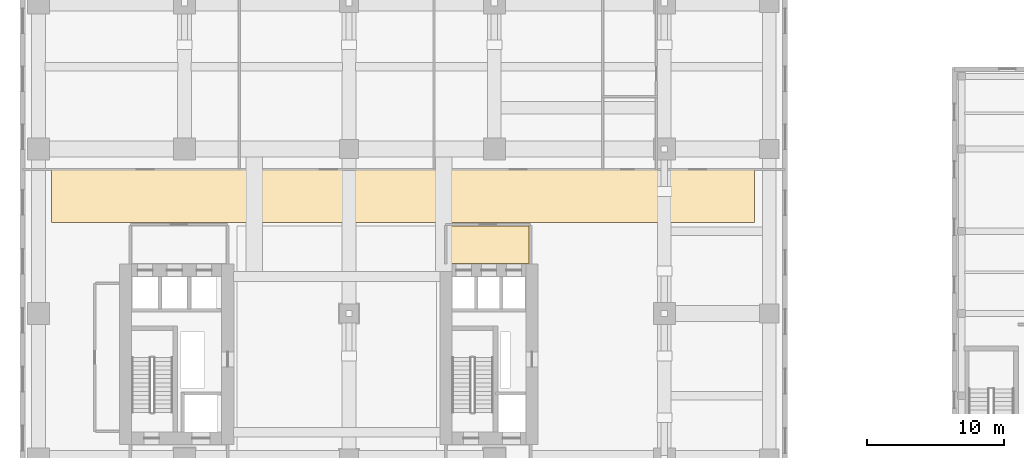
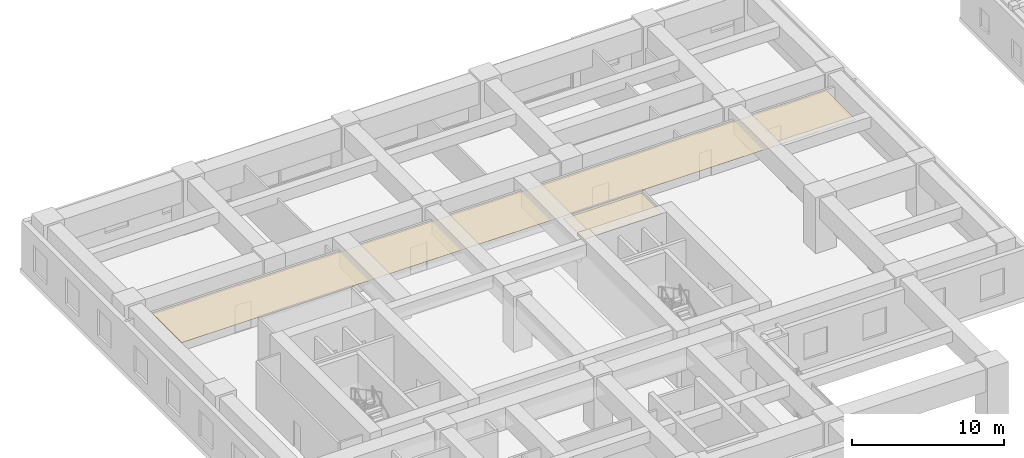
# One storey, part 31 of 33: 2 coverings.
"""IFC4 building model written with IfcOpenShell, lengths in metres."""

from ifc_helpers import new_model, si_unit, direction, frame, origin, place, context, subcontext, project, spatial, polyline, outline, extrude, material, layer, layer_set, type_object, element, save


model = new_model("IFC4")

# Units and contexts
model_context = context("Model", 3, precision=1e-05, world=origin(), true_north=direction((0.0, 1.0)))
body_context = subcontext(model_context, "Body", "Model", "MODEL_VIEW")
ifc_project = project(units=[si_unit("LENGTHUNIT", "METRE"), si_unit("AREAUNIT", "SQUARE_METRE"), si_unit("VOLUMEUNIT", "CUBIC_METRE"), si_unit("PLANEANGLEUNIT", "RADIAN"), si_unit("MASSUNIT", "GRAM", prefix="KILO")], contexts=[model_context])

# Site, building, storey
site_placement = place(None, origin())
site = spatial("IfcSite", under=ifc_project, at=site_placement, CompositionType="ELEMENT")
building_placement = place(site_placement, origin())
building = spatial("IfcBuilding", under=site, at=building_placement, Name="Khoralis Quay Care Tower", CompositionType="ELEMENT")
storey_placement = place(building_placement, frame((0.0, 0.0, 18.0)))
storey = spatial("IfcBuildingStorey", under=building, at=storey_placement, Name="L04", CompositionType="ELEMENT", Elevation=18.0)

# Coverings
ifc_material = material(Name="Mineral-fibre acoustic ceiling tile")
ifc_layer = layer(ifc_material, 0.01806640625)
ifc_layer_set = layer_set([ifc_layer], Name="Mineral-fibre acoustic ceiling tile")
covering_type = type_object("IfcCoveringType", Name="COV-CEIL-AC18", PredefinedType="CEILING", material=ifc_layer_set)
covering_1_placement = place(storey_placement, frame((0.0, 0.0, 3.701904296875)))
element("IfcCovering", 1, at=covering_1_placement, inside=storey, type_object=covering_type, Name="Suspended Acoustic Ceiling SP-L04-LLOB-E", PredefinedType="CEILING", context=body_context, shape_type="SweptSolid", body=[
    extrude(outline(polyline([(31.179931640625, 27.64990234375), (37.1201171875, 27.64990234375), (37.1201171875, 30.389892578125), (31.179931640625, 30.389892578125), (31.179931640625, 27.64990234375)])), origin(), (0.0, 0.0, 1.0), 0.01806640625),
])
covering_2_placement = place(storey_placement, frame((0.0, 0.0, 3.701904296875)))
element("IfcCovering", 2, at=covering_2_placement, inside=storey, type_object=covering_type, Name="Suspended Acoustic Ceiling SP-L04-PCORR-N", PredefinedType="CEILING", context=body_context, shape_type="SweptSolid", body=[
    extrude(outline(polyline([(2.2900390625, 30.639892578125), (53.56005859375, 30.639892578125), (53.56005859375, 34.4599609375), (2.2900390625, 34.4599609375), (2.2900390625, 30.639892578125)])), origin(), (0.0, 0.0, 1.0), 0.01806640625),
])

save(model, "model.ifc")
